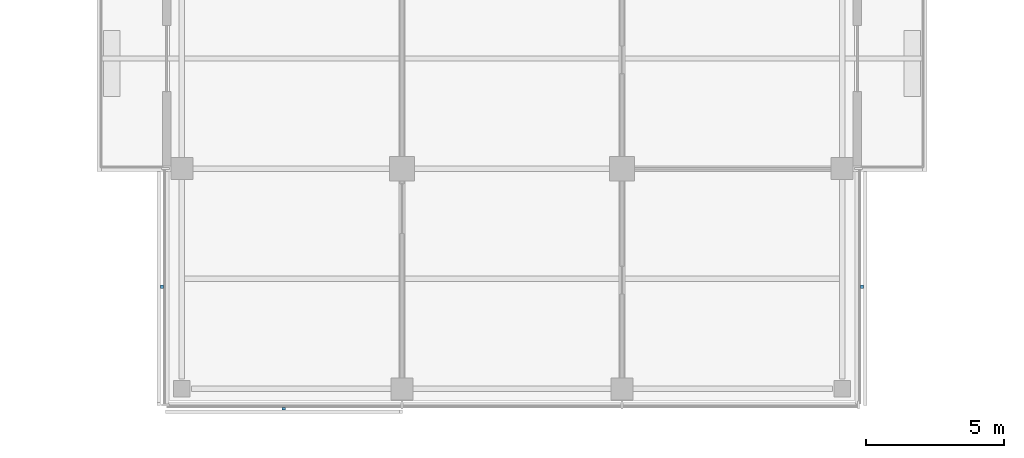
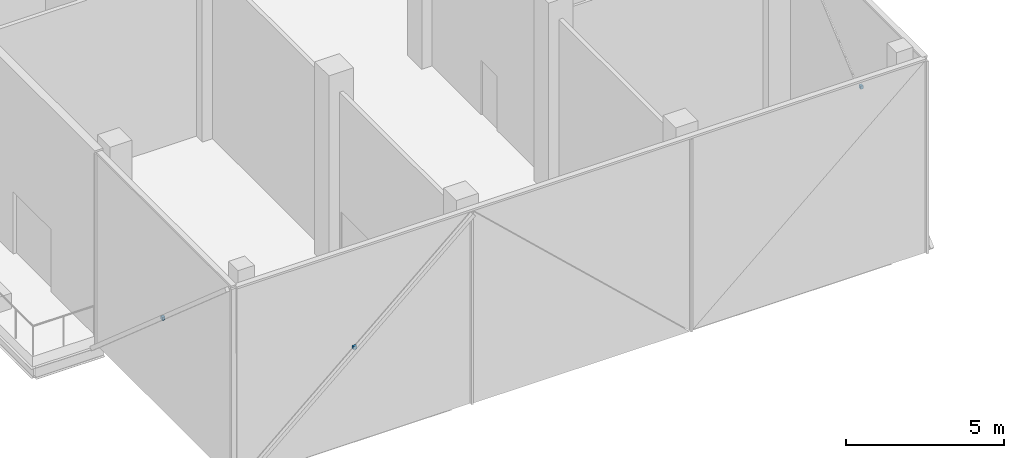
# One storey, part 15 of 20: 3 discrete accessories.
"""IFC4 building model written with IfcOpenShell, lengths in metres."""

import ifcopenshell
import ifcopenshell.guid

model = None  # the IFC model being written
_history = None  # IfcOwnerHistory: only IFC2X3 demands one
_inside = {}  # id of a spatial element -> (the spatial element, [elements in it])
_under = {}  # id of a project, library or spatial element -> (it, [spatial elements below it])
_declared = {}  # id of a project -> (the project, [libraries it declares])
_typed = {}  # id of a type object -> (the type object, [elements of that type])
_made_of = {}  # id of a material, layer set ... -> (it, [elements and type objects made of it])


def new_model(schema):
    """Start an empty IFC model of exactly this schema.

    Asked for "IFC4X3", IfcOpenShell would pick the latest addendum, in which some entities
    have other attributes; the version numbers below select the first issue.
    IFC2X3 requires an IfcOwnerHistory on every rooted entity: one is made here for all.
    """
    global model, _history
    if schema == "IFC4X3":
        model = ifcopenshell.file(schema_version=(4, 3, 0, 0))
    else:
        model = ifcopenshell.file(schema=schema)
    _inside.clear()
    _under.clear()
    _declared.clear()
    _typed.clear()
    _made_of.clear()
    _history = None
    if model.schema == "IFC2X3":
        org = make("IfcOrganization", Name="unknown")
        user = make(
            "IfcPersonAndOrganization",
            ThePerson=make("IfcPerson", FamilyName="unknown"),
            TheOrganization=org,
        )
        app = make(
            "IfcApplication",
            ApplicationDeveloper=org,
            Version="unknown",
            ApplicationFullName="unknown",
            ApplicationIdentifier="unknown",
        )
        _history = make(
            "IfcOwnerHistory",
            OwningUser=user,
            OwningApplication=app,
            ChangeAction="ADDED",
            CreationDate=0,
        )
    return model


def make(cls, **values):
    """One entity of the class cls with the attributes given. An attribute that is None is left unset."""
    return model.create_entity(
        cls, **{name: value for name, value in values.items() if value is not None}
    )


def rooted(cls, **values):
    """An entity with a GlobalId (a new one), such as an element, a storey or a relation."""
    return make(cls, GlobalId=ifcopenshell.guid.new(), OwnerHistory=_history, **values)


def si_unit(unit_type, name, prefix=None):
    """IfcSIUnit, for example si_unit("LENGTHUNIT", "METRE", prefix="MILLI")."""
    return make("IfcSIUnit", UnitType=unit_type, Prefix=prefix, Name=name)


def assignment(units):
    """IfcUnitAssignment: the units of a project."""
    return None if units is None else make("IfcUnitAssignment", Units=units)


def point(xyz):
    """IfcCartesianPoint."""
    return None if xyz is None else make("IfcCartesianPoint", Coordinates=xyz)


def direction(xyz):
    """IfcDirection."""
    return None if xyz is None else make("IfcDirection", DirectionRatios=xyz)


def frame(location, z_axis=None, x_axis=None):
    """IfcAxis2Placement3D, a coordinate frame: its origin and axes. An axis left out is left unset."""
    return make(
        "IfcAxis2Placement3D",
        Location=point(location),
        Axis=direction(z_axis),
        RefDirection=direction(x_axis),
    )


def frame_2d(location, x_axis=None):
    """IfcAxis2Placement2D, a coordinate frame in the plane: its origin and x axis."""
    return make(
        "IfcAxis2Placement2D", Location=point(location), RefDirection=direction(x_axis)
    )


def origin():
    """The frame at (0, 0, 0) with its axes left unset."""
    return frame((0.0, 0.0, 0.0))


def origin_2d():
    """The frame at (0, 0) in the plane with its x axis left unset."""
    return frame_2d((0.0, 0.0))


def place(relative_to, where):
    """IfcLocalPlacement: puts the frame where relative to a parent placement (None: the world)."""
    return make(
        "IfcLocalPlacement", PlacementRelTo=relative_to, RelativePlacement=where
    )


def context(
    kind, dimensions, precision=None, world=None, true_north=None, identifier=None
):
    """IfcGeometricRepresentationContext, for example the 3D "Model" context."""
    return make(
        "IfcGeometricRepresentationContext",
        ContextIdentifier=identifier,
        ContextType=kind,
        CoordinateSpaceDimension=dimensions,
        Precision=precision,
        WorldCoordinateSystem=world,
        TrueNorth=true_north,
    )


def subcontext(parent, identifier, kind, view, scale=None):
    """IfcGeometricRepresentationSubContext, for example "Body" below "Model"."""
    return make(
        "IfcGeometricRepresentationSubContext",
        ContextIdentifier=identifier,
        ContextType=kind,
        ParentContext=parent,
        TargetScale=scale,
        TargetView=view,
    )


def project(units=None, contexts=None):
    """IfcProject with its units and contexts."""
    return rooted(
        "IfcProject",
        Name="project",
        RepresentationContexts=contexts,
        UnitsInContext=assignment(units),
    )


def spatial(cls, under=None, at=None, **own):
    """A site, building, storey or space (cls), placed at a placement, below another one or the project."""
    s = rooted(cls, ObjectPlacement=at, **own)
    if under is not None:
        _under.setdefault(under.id(), (under, []))[1].append(s)
    return s


def profile(cls, at=None, kind="AREA", **sizes):
    """A parametric profile (cls). Its sizes go by their IFC names, for example OverallWidth=200.0."""
    return make(cls, ProfileType=kind, Position=at, **sizes)


def rectangle(**sizes):
    """IfcRectangleProfileDef."""
    return profile("IfcRectangleProfileDef", **sizes)


def extrude(swept, where, along, depth):
    """IfcExtrudedAreaSolid: the profile swept, set in the frame where, extruded along a direction by depth."""
    return make(
        "IfcExtrudedAreaSolid",
        SweptArea=swept,
        Position=where,
        ExtrudedDirection=direction(along),
        Depth=depth,
    )


def shape(context_of_items, identifier, shape_type, items):
    """IfcShapeRepresentation: the items that make up one representation, for example the "Body"."""
    return make(
        "IfcShapeRepresentation",
        ContextOfItems=context_of_items,
        RepresentationIdentifier=identifier,
        RepresentationType=shape_type,
        Items=items,
    )


def material(Name=None, Category=None):
    """IfcMaterial."""
    return make("IfcMaterial", Name=Name, Category=Category)


def made_of(thing, what):
    """Note that an element or type object is made of a material, layer set ...; save() writes the relation."""
    if what is not None:
        _made_of.setdefault(what.id(), (what, []))[1].append(thing)
    return thing


def type_object(cls, material=None, **own):
    """A type object (cls), such as IfcWallType, which elements share."""
    return made_of(rooted(cls, **own), material)


def element(
    cls,
    number,
    at=None,
    inside=None,
    cuts=None,
    type_object=None,
    material=None,
    context=None,
    identifier="Body",
    shape_type=None,
    held_by="IfcProductDefinitionShape",
    body=None,
    shapes=None,
    **own,
):
    """One element of the class cls, such as IfcWall. Its Tag is "e" and its number.

    at: its placement. inside: the storey or other place that contains it. cuts: it is an
    opening in that element (IfcRelVoidsElement). A single representation is given by context,
    identifier, shape_type and body (its items); several are given by shapes. held_by: the class
    of the entity that holds the representations. save() writes the other relations.
    """
    e = rooted(cls, Tag="e%d" % number, ObjectPlacement=at, **own)
    if body is not None:
        shapes = [shape(context, identifier, shape_type, body)]
    if shapes is not None:
        e.Representation = make(held_by, Representations=shapes)
    if inside is not None:
        _inside.setdefault(inside.id(), (inside, []))[1].append(e)
    if cuts is not None:
        rooted(
            "IfcRelVoidsElement", RelatingBuildingElement=cuts, RelatedOpeningElement=e
        )
    if type_object is not None:
        _typed.setdefault(type_object.id(), (type_object, []))[1].append(e)
    return made_of(e, material)


def aggregate(whole, parts):
    """IfcRelAggregates: a whole, such as a stair, and the parts it consists of."""
    return rooted("IfcRelAggregates", RelatingObject=whole, RelatedObjects=parts)


def save(model, path):
    """Write the relations noted so far, then the file.

    IfcRelAggregates (storeys below a building ...), IfcRelContainedInSpatialStructure (elements
    in a storey), IfcRelDefinesByType, IfcRelAssociatesMaterial and IfcRelDeclares: one each for
    every whole, place, type object, material and project.
    """
    for whole, parts in _under.values():
        aggregate(whole, parts)
    for where, things in _inside.values():
        rooted(
            "IfcRelContainedInSpatialStructure",
            RelatedElements=things,
            RelatingStructure=where,
        )
    for kind, things in _typed.values():
        rooted("IfcRelDefinesByType", RelatedObjects=things, RelatingType=kind)
    for what, things in _made_of.values():
        rooted("IfcRelAssociatesMaterial", RelatedObjects=things, RelatingMaterial=what)
    for by, libraries in _declared.values():
        rooted("IfcRelDeclares", RelatingContext=by, RelatedDefinitions=libraries)
    model.write(path)


model = new_model("IFC4")

# Units and contexts
model_context = context("Model", 3, precision=1e-05, world=origin(), true_north=direction((0.0, 1.0)))
body_context = subcontext(model_context, "Body", "Model", "MODEL_VIEW")
ifc_project = project(units=[si_unit("LENGTHUNIT", "METRE"), si_unit("AREAUNIT", "SQUARE_METRE"), si_unit("VOLUMEUNIT", "CUBIC_METRE"), si_unit("PLANEANGLEUNIT", "RADIAN"), si_unit("MASSUNIT", "GRAM", prefix="KILO")], contexts=[model_context])

# Site, building, storey
site_placement = place(None, origin())
site = spatial("IfcSite", under=ifc_project, at=site_placement, CompositionType="ELEMENT")
building_placement = place(site_placement, origin())
building = spatial("IfcBuilding", under=site, at=building_placement, Name="Crosswind Convention Tower", CompositionType="ELEMENT")
storey_placement = place(building_placement, frame((0.0, 0.0, 171.5)))
storey = spatial("IfcBuildingStorey", under=building, at=storey_placement, Name="L36", CompositionType="ELEMENT", Elevation=171.5)

# Discrete accessories
ifc_material = material(Name="Stainless steel", Category="steel")
discrete_accessory_type = type_object("IfcDiscreteAccessoryType", Name="BAGUETTE BRACKET BK4", PredefinedType="BRACKET", material=ifc_material)
for number, where, z_axis, x_axis, name in (
    (1, (112.278076171875, 75.705078125, 3.25244140625), (0.0, 0.0, 1.0), (0.0, -1.0, 0.0), "BK4 baguette bracket"),
    (2, (116.705078125, 71.278076171875, 3.25244140625), (0.0, 0.0, 1.0), (1.0, 0.0, 0.0), "BK4 baguette bracket"),
    (3, (137.721923828125, 75.705078125, 3.25244140625), (0.0, 0.0, 1.0), (0.0, 1.0, 0.0), "BK4 baguette bracket"),
):
    element("IfcDiscreteAccessory", number, at=place(storey_placement, frame(where, z_axis=z_axis, x_axis=x_axis)), inside=storey, type_object=discrete_accessory_type, Name=name, PredefinedType="BRACKET", context=body_context, shape_type="SweptSolid", body=[
        extrude(rectangle(XDim=0.1201171875, YDim=0.10009765625, at=origin_2d()), origin(), (0.0, 0.0, 1.0), 0.1201171875),
    ])

save(model, "model.ifc")
